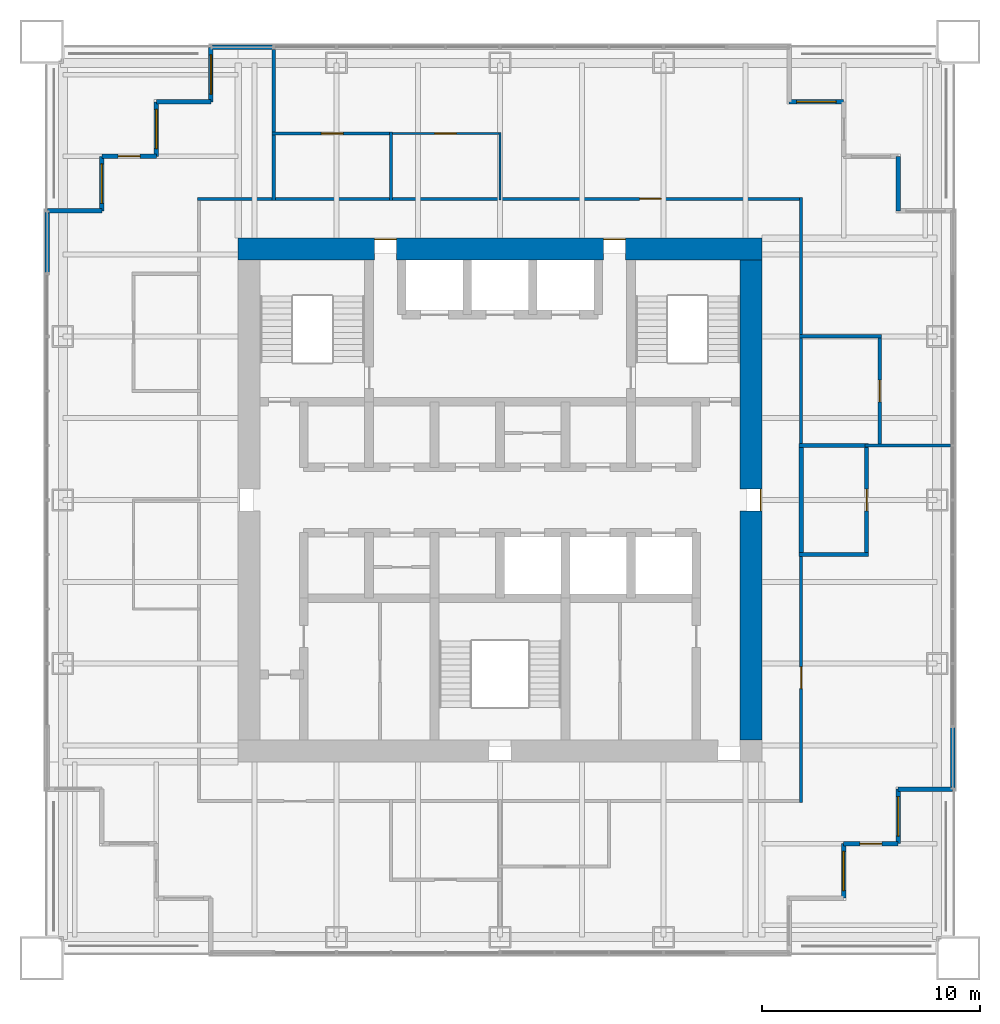
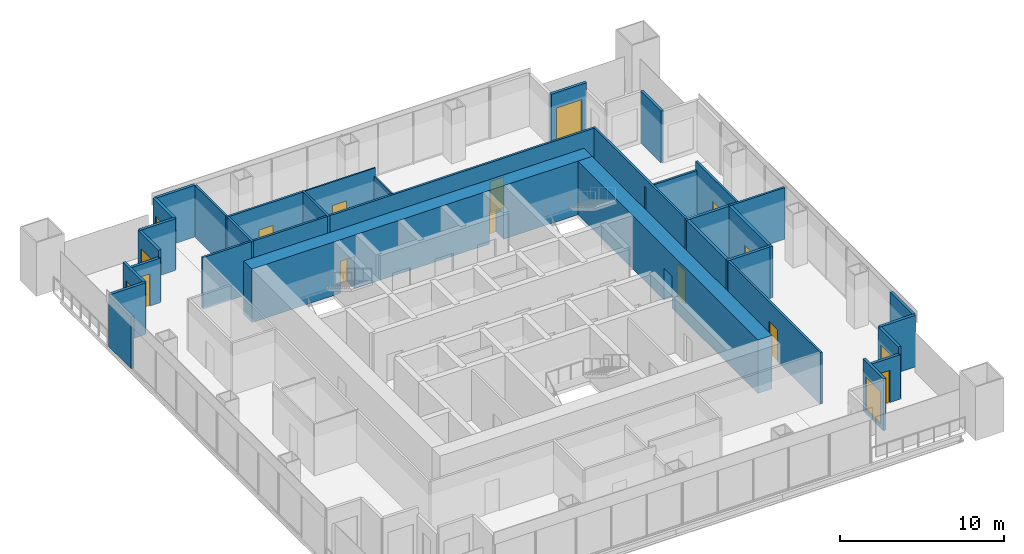
# One storey, part 11 of 14: 32 walls, 11 doors, 6 windows, 17 openings.
"""IFC4 building model written with IfcOpenShell, lengths in metres."""

from ifc_helpers import new_model, si_unit, direction, frame, frame_2d, origin, place, context, subcontext, project, spatial, rectangle, extrude, material, layer, layer_set, type_object, element, fill, save


model = new_model("IFC4")

# Units and contexts
model_context = context("Model", 3, precision=1e-05, world=origin(), true_north=direction((0.0, 1.0)))
body_context = subcontext(model_context, "Body", "Model", "MODEL_VIEW")
ifc_project = project(units=[si_unit("LENGTHUNIT", "METRE"), si_unit("AREAUNIT", "SQUARE_METRE"), si_unit("VOLUMEUNIT", "CUBIC_METRE"), si_unit("PLANEANGLEUNIT", "RADIAN"), si_unit("MASSUNIT", "GRAM", prefix="KILO")], contexts=[model_context])

# Site, building, storey
site_placement = place(None, origin())
site = spatial("IfcSite", under=ifc_project, at=site_placement, CompositionType="ELEMENT")
building_placement = place(site_placement, origin())
building = spatial("IfcBuilding", under=site, at=building_placement, Name="Tarangal Relay Tower", CompositionType="ELEMENT")
storey_placement = place(building_placement, frame((0.0, 0.0, 263.89990234375)))
storey = spatial("IfcBuildingStorey", under=building, at=storey_placement, Name="L57", CompositionType="ELEMENT", Elevation=263.89990234375)

# Walls
ifc_material_1 = material(Name="Two layers gypsum board each side on twin steel studs, mineral wool", Category="steel")
ifc_layer_1 = layer(ifc_material_1, 0.199951171875)
ifc_layer_set_1 = layer_set([ifc_layer_1], Name="Acoustic partition 200")
wall_type_1 = type_object("IfcWallType", Name="Acoustic partition 200", PredefinedType="PARTITIONING", material=ifc_layer_set_1)
for number, where, z_axis, x_axis, name in (
    (1, (13.699951171875, -2.5, 0.0), (0.0, 0.0, 1.0), (1.0, 0.0, 0.0), "Partition PT2 L57"),
    (2, (13.699951171875, 2.5, 0.0), (0.0, 0.0, 1.0), (1.0, 0.0, 0.0), "Partition PT2 L57"),
):
    element("IfcWall", number, at=place(storey_placement, frame(where, z_axis=z_axis, x_axis=x_axis)), inside=storey, type_object=wall_type_1, Name=name, PredefinedType="PARTITIONING", context=body_context, shape_type="SweptSolid", body=[
        extrude(rectangle(XDim=3.199951171875, YDim=0.199951171875, at=frame_2d((1.60009765625, 0.0))), origin(), (0.0, 0.0, 1.0), 3.85009765625),
    ])
wall_1_placement = place(storey_placement, frame((13.800048828125, -2.60009765625, 0.0), z_axis=(0.0, 0.0, 1.0), x_axis=(0.0, 1.0, 0.0)))
element("IfcWall", 3, at=wall_1_placement, inside=storey, type_object=wall_type_1, Name="Partition PT2 L57", PredefinedType="PARTITIONING", context=body_context, shape_type="SweptSolid", body=[
    extrude(rectangle(XDim=5.2001953125, YDim=0.199951171875, at=frame_2d((2.60009765625, 0.0))), origin(), (0.0, 0.0, 1.0), 3.85009765625),
])

# Wall, opening, door
wall_2_placement = place(storey_placement, frame((16.800048828125, -2.60009765625, 0.0), z_axis=(0.0, 0.0, 1.0), x_axis=(0.0, 1.0, 0.0)))
wall_2 = element("IfcWall", 4, at=wall_2_placement, inside=storey, type_object=wall_type_1, Name="Partition PT2 L57", PredefinedType="PARTITIONING", context=body_context, shape_type="SweptSolid", body=[
    extrude(rectangle(XDim=5.2001953125, YDim=0.199951171875, at=frame_2d((2.60009765625, 0.0))), origin(), (0.0, 0.0, 1.0), 3.85009765625),
])
opening_1_placement = place(wall_2_placement, frame((2.10009765625, 0.0, 0.0)))
opening_1 = element("IfcOpeningElement", 5, at=opening_1_placement, cuts=wall_2, Name="Opening D2", PredefinedType="OPENING", context=body_context, shape_type="SweptSolid", body=[
    extrude(rectangle(XDim=1.0, YDim=2.10009765625, at=frame_2d((0.5, 1.050048828125))), frame((0.0, 0.10986328125, 0.0), z_axis=(0.0, -1.0, 0.0), x_axis=(1.0, 0.0, 0.0)), (0.0, 0.0, 1.0), 0.219970703125),
])
ifc_material_2 = material(Name="Hardwood door", Category="wood")
door_type_1 = type_object("IfcDoorType", Name="Door 1000 x 2100", OperationType="SINGLE_SWING_LEFT", PredefinedType="DOOR", material=ifc_material_2)
door_1_placement = place(opening_1_placement, origin())
door_1 = element("IfcDoor", 6, at=door_1_placement, inside=storey, type_object=door_type_1, Name="Door D2 to meeting room L57-05", OperationType="SINGLE_SWING_LEFT", OverallHeight=2.10009765625, OverallWidth=1.0, PredefinedType="DOOR", context=body_context, shape_type="SweptSolid", body=[
    extrude(rectangle(XDim=1.0, YDim=2.10009765625, at=frame_2d((0.5, 1.050048828125))), frame((0.0, 0.02490234375, 0.0), z_axis=(0.0, -1.0, 0.0), x_axis=(1.0, 0.0, 0.0)), (0.0, 0.0, 1.0), 0.050048828125),
])
fill(opening_1, door_1)

# Wall, openings, doors
ifc_material_3 = material(Name="Concrete fc' 60 MPa", Category="concrete")
ifc_layer_2 = layer(ifc_material_3, 1.0)
ifc_layer_set_2 = layer_set([ifc_layer_2], Name="Core wall 1000")
wall_type_2 = type_object("IfcWallType", Name="Core wall 1000", PredefinedType="SHEAR", material=ifc_layer_set_2)
wall_3_placement = place(storey_placement, frame((-12.0, 11.5, 0.0), z_axis=(0.0, 0.0, 1.0), x_axis=(1.0, 0.0, 0.0)))
wall_3 = element("IfcWall", 7, at=wall_3_placement, inside=storey, type_object=wall_type_2, Name="Core wall N L57", PredefinedType="SHEAR", context=body_context, shape_type="SweptSolid", body=[
    extrude(rectangle(XDim=24.0, YDim=1.0, at=frame_2d((12.0, 0.0))), origin(), (0.0, 0.0, 1.0), 4.0),
])
opening_2_placement = place(wall_3_placement, frame((6.25, 0.0, 0.0)))
opening_2 = element("IfcOpeningElement", 8, at=opening_2_placement, cuts=wall_3, Name="Opening FD3", PredefinedType="OPENING", context=body_context, shape_type="SweptSolid", body=[
    extrude(rectangle(XDim=1.0, YDim=2.39990234375, at=frame_2d((0.5, 1.199951171875))), frame((0.0, 0.510009765625, 0.0), z_axis=(0.0, -1.0, 0.0), x_axis=(1.0, 0.0, 0.0)), (0.0, 0.0, 1.0), 1.02001953125),
])
opening_3_placement = place(wall_3_placement, frame((16.75, 0.0, 0.0)))
opening_3 = element("IfcOpeningElement", 9, at=opening_3_placement, cuts=wall_3, Name="Opening FD3", PredefinedType="OPENING", context=body_context, shape_type="SweptSolid", body=[
    extrude(rectangle(XDim=1.0, YDim=2.39990234375, at=frame_2d((0.5, 1.199951171875))), frame((0.0, 0.510009765625, 0.0), z_axis=(0.0, -1.0, 0.0), x_axis=(1.0, 0.0, 0.0)), (0.0, 0.0, 1.0), 1.02001953125),
])
ifc_material_4 = material(Name="Steel door with hardwood frame", Category="steel")
door_type_2 = type_object("IfcDoorType", Name="Fire door 1000 x 2400 core entry", OperationType="SINGLE_SWING_RIGHT", PredefinedType="DOOR", material=ifc_material_4)
door_2_placement = place(opening_2_placement, origin())
door_2 = element("IfcDoor", 10, at=door_2_placement, inside=storey, type_object=door_type_2, Name="Core entry door north west L57", OperationType="SINGLE_SWING_RIGHT", OverallHeight=2.39990234375, OverallWidth=1.0, PredefinedType="DOOR", context=body_context, shape_type="SweptSolid", body=[
    extrude(rectangle(XDim=1.0, YDim=2.39990234375, at=frame_2d((0.5, 1.199951171875))), frame((0.0, 0.48486328125, 0.0), z_axis=(0.0, -1.0, 0.0), x_axis=(1.0, 0.0, 0.0)), (0.0, 0.0, 1.0), 0.050048828125),
])
fill(opening_2, door_2)
door_3_placement = place(opening_3_placement, origin())
door_3 = element("IfcDoor", 11, at=door_3_placement, inside=storey, type_object=door_type_2, Name="Core entry door north east L57", OperationType="SINGLE_SWING_RIGHT", OverallHeight=2.39990234375, OverallWidth=1.0, PredefinedType="DOOR", context=body_context, shape_type="SweptSolid", body=[
    extrude(rectangle(XDim=1.0, YDim=2.39990234375, at=frame_2d((0.5, 1.199951171875))), frame((0.0, 0.48486328125, 0.0), z_axis=(0.0, -1.0, 0.0), x_axis=(1.0, 0.0, 0.0)), (0.0, 0.0, 1.0), 0.050048828125),
])
fill(opening_3, door_3)

# Wall, opening, door
wall_4_placement = place(storey_placement, frame((11.5, 11.0, 0.0), z_axis=(0.0, 0.0, 1.0), x_axis=(0.0, -1.0, 0.0)))
wall_4 = element("IfcWall", 12, at=wall_4_placement, inside=storey, type_object=wall_type_2, Name="Core wall E L57", PredefinedType="SHEAR", context=body_context, shape_type="SweptSolid", body=[
    extrude(rectangle(XDim=22.0, YDim=1.0, at=frame_2d((11.0, 0.0))), origin(), (0.0, 0.0, 1.0), 4.0),
])
opening_4_placement = place(wall_4_placement, frame((10.5, 0.0, 0.0)))
opening_4 = element("IfcOpeningElement", 13, at=opening_4_placement, cuts=wall_4, Name="Opening FD3", PredefinedType="OPENING", context=body_context, shape_type="SweptSolid", body=[
    extrude(rectangle(XDim=1.0, YDim=2.39990234375, at=frame_2d((0.5, 1.199951171875))), frame((0.0, 0.510009765625, 0.0), z_axis=(0.0, -1.0, 0.0), x_axis=(1.0, 0.0, 0.0)), (0.0, 0.0, 1.0), 1.02001953125),
])
door_4_placement = place(opening_4_placement, origin())
door_4 = element("IfcDoor", 14, at=door_4_placement, inside=storey, type_object=door_type_2, Name="Core entry door east L57", OperationType="SINGLE_SWING_RIGHT", OverallHeight=2.39990234375, OverallWidth=1.0, PredefinedType="DOOR", context=body_context, shape_type="SweptSolid", body=[
    extrude(rectangle(XDim=1.0, YDim=2.39990234375, at=frame_2d((0.5, 1.199951171875))), frame((0.0, 0.48486328125, 0.0), z_axis=(0.0, -1.0, 0.0), x_axis=(1.0, 0.0, 0.0)), (0.0, 0.0, 1.0), 0.050048828125),
])
fill(opening_4, door_4)

# Wall, opening, window
ifc_material_5 = material(Name="Black metal clad insulated wall", Category="steel")
ifc_layer_3 = layer(ifc_material_5, 0.199951171875)
ifc_layer_set_3 = layer_set([ifc_layer_3], Name="Corner wall metal clad 200")
wall_type_3 = type_object("IfcWallType", Name="Corner wall metal clad 200", PredefinedType="SOLIDWALL", material=ifc_layer_set_3)
wall_5_placement = place(storey_placement, frame((13.25, 18.25, 0.0), z_axis=(0.0, 0.0, 1.0), x_axis=(1.0, 0.0, 0.0)))
wall_5 = element("IfcWall", 15, at=wall_5_placement, inside=storey, type_object=wall_type_3, Name="Facade wall N facade L57", PredefinedType="SOLIDWALL", context=body_context, shape_type="SweptSolid", body=[
    extrude(rectangle(XDim=2.5, YDim=0.199951171875, at=frame_2d((1.25, 0.0))), origin(), (0.0, 0.0, 1.0), 3.85009765625),
])
opening_5_placement = place(wall_5_placement, frame((0.35009765625, 0.0, 0.300048828125)))
opening_5 = element("IfcOpeningElement", 16, at=opening_5_placement, cuts=wall_5, Name="Opening WN2", PredefinedType="OPENING", context=body_context, shape_type="SweptSolid", body=[
    extrude(rectangle(XDim=1.800048828125, YDim=2.39990234375, at=frame_2d((0.89990234375, 1.199951171875))), frame((0.0, 0.10986328125, 0.0), z_axis=(0.0, -1.0, 0.0), x_axis=(1.0, 0.0, 0.0)), (0.0, 0.0, 1.0), 0.219970703125),
])
ifc_material_6 = material(Name="Dark tinted double glazing in black aluminium frame", Category="aluminium")
window_type = type_object("IfcWindowType", Name="Corner window 1800 x 2400", PartitioningType="SINGLE_PANEL", PredefinedType="WINDOW", material=ifc_material_6)
window_1_placement = place(opening_5_placement, origin())
window_1 = element("IfcWindow", 17, at=window_1_placement, inside=storey, type_object=window_type, Name="Corner window WN2 N facade L57", OverallHeight=2.39990234375, OverallWidth=1.800048828125, PartitioningType="SINGLE_PANEL", PredefinedType="WINDOW", context=body_context, shape_type="SweptSolid", body=[
    extrude(rectangle(XDim=1.800048828125, YDim=2.39990234375, at=frame_2d((0.89990234375, 1.199951171875))), frame((0.0, 0.030029296875, 0.0), z_axis=(0.0, -1.0, 0.0), x_axis=(1.0, 0.0, 0.0)), (0.0, 0.0, 1.0), 0.06005859375),
])
fill(opening_5, window_1)

# Walls
for number, where, z_axis, x_axis, name in (
    (18, (18.25, 15.75, 0.0), (0.0, 0.0, 1.0), (0.0, -1.0, 0.0), "Facade wall N facade L57"),
    (19, (20.75, -13.25, 0.0), (0.0, 0.0, 1.0), (-1.0, 0.0, 0.0), "Facade wall E facade L57"),
):
    element("IfcWall", number, at=place(storey_placement, frame(where, z_axis=z_axis, x_axis=x_axis)), inside=storey, type_object=wall_type_3, Name=name, PredefinedType="SOLIDWALL", context=body_context, shape_type="SweptSolid", body=[
        extrude(rectangle(XDim=2.5, YDim=0.199951171875, at=frame_2d((1.25, 0.0))), origin(), (0.0, 0.0, 1.0), 3.85009765625),
    ])

# Wall, opening, window
wall_6_placement = place(storey_placement, frame((18.25, -13.25, 0.0), z_axis=(0.0, 0.0, 1.0), x_axis=(0.0, -1.0, 0.0)))
wall_6 = element("IfcWall", 20, at=wall_6_placement, inside=storey, type_object=wall_type_3, Name="Facade wall E facade L57", PredefinedType="SOLIDWALL", context=body_context, shape_type="SweptSolid", body=[
    extrude(rectangle(XDim=2.5, YDim=0.199951171875, at=frame_2d((1.25, 0.0))), origin(), (0.0, 0.0, 1.0), 3.85009765625),
])
opening_6_placement = place(wall_6_placement, frame((0.35009765625, 0.0, 0.300048828125)))
opening_6 = element("IfcOpeningElement", 21, at=opening_6_placement, cuts=wall_6, Name="Opening WN2", PredefinedType="OPENING", context=body_context, shape_type="SweptSolid", body=[
    extrude(rectangle(XDim=1.800048828125, YDim=2.39990234375, at=frame_2d((0.89990234375, 1.199951171875))), frame((0.0, 0.10986328125, 0.0), z_axis=(0.0, -1.0, 0.0), x_axis=(1.0, 0.0, 0.0)), (0.0, 0.0, 1.0), 0.219970703125),
])
window_2_placement = place(opening_6_placement, origin())
window_2 = element("IfcWindow", 22, at=window_2_placement, inside=storey, type_object=window_type, Name="Corner window WN2 E facade L57", OverallHeight=2.39990234375, OverallWidth=1.800048828125, PartitioningType="SINGLE_PANEL", PredefinedType="WINDOW", context=body_context, shape_type="SweptSolid", body=[
    extrude(rectangle(XDim=1.800048828125, YDim=2.39990234375, at=frame_2d((0.89990234375, 1.199951171875))), frame((0.0, 0.030029296875, 0.0), z_axis=(0.0, -1.0, 0.0), x_axis=(1.0, 0.0, 0.0)), (0.0, 0.0, 1.0), 0.06005859375),
])
fill(opening_6, window_2)

# Wall, opening, door
wall_7_placement = place(storey_placement, frame((18.25, -15.75, 0.0), z_axis=(0.0, 0.0, 1.0), x_axis=(-1.0, 0.0, 0.0)))
wall_7 = element("IfcWall", 23, at=wall_7_placement, inside=storey, type_object=wall_type_3, Name="Facade wall E facade L57", PredefinedType="SOLIDWALL", context=body_context, shape_type="SweptSolid", body=[
    extrude(rectangle(XDim=2.5, YDim=0.199951171875, at=frame_2d((1.25, 0.0))), origin(), (0.0, 0.0, 1.0), 3.316650390625),
])
opening_7_placement = place(wall_7_placement, frame((0.75, 0.0, 0.0)))
opening_7 = element("IfcOpeningElement", 24, at=opening_7_placement, cuts=wall_7, Name="Opening TD1", PredefinedType="OPENING", context=body_context, shape_type="SweptSolid", body=[
    extrude(rectangle(XDim=1.0, YDim=2.39990234375, at=frame_2d((0.5, 1.199951171875))), frame((0.0, 0.10986328125, 0.0), z_axis=(0.0, -1.0, 0.0), x_axis=(1.0, 0.0, 0.0)), (0.0, 0.0, 1.0), 0.219970703125),
])
ifc_material_7 = material(Name="Aluminium glazed door", Category="aluminium")
door_type_3 = type_object("IfcDoorType", Name="Terrace door 1000 x 2400", OperationType="SINGLE_SWING_RIGHT", PredefinedType="DOOR", material=ifc_material_7)
door_5_placement = place(opening_7_placement, origin())
door_5 = element("IfcDoor", 25, at=door_5_placement, inside=storey, type_object=door_type_3, Name="Terrace door TD1 SE L57", OperationType="SINGLE_SWING_RIGHT", OverallHeight=2.39990234375, OverallWidth=1.0, PredefinedType="DOOR", context=body_context, shape_type="SweptSolid", body=[
    extrude(rectangle(XDim=1.0, YDim=2.39990234375, at=frame_2d((0.5, 1.199951171875))), frame((0.0, 0.02490234375, 0.0), z_axis=(0.0, -1.0, 0.0), x_axis=(1.0, 0.0, 0.0)), (0.0, 0.0, 1.0), 0.050048828125),
])
fill(opening_7, door_5)

# Wall, opening, window
wall_8_placement = place(storey_placement, frame((15.75, -15.75, 0.0), z_axis=(0.0, 0.0, 1.0), x_axis=(0.0, -1.0, 0.0)))
wall_8 = element("IfcWall", 26, at=wall_8_placement, inside=storey, type_object=wall_type_3, Name="Facade wall E facade L57", PredefinedType="SOLIDWALL", context=body_context, shape_type="SweptSolid", body=[
    extrude(rectangle(XDim=2.5, YDim=0.199951171875, at=frame_2d((1.25, 0.0))), origin(), (0.0, 0.0, 1.0), 3.85009765625),
])
opening_8_placement = place(wall_8_placement, frame((0.35009765625, 0.0, 0.300048828125)))
opening_8 = element("IfcOpeningElement", 27, at=opening_8_placement, cuts=wall_8, Name="Opening WN2", PredefinedType="OPENING", context=body_context, shape_type="SweptSolid", body=[
    extrude(rectangle(XDim=1.800048828125, YDim=2.39990234375, at=frame_2d((0.89990234375, 1.199951171875))), frame((0.0, 0.10986328125, 0.0), z_axis=(0.0, -1.0, 0.0), x_axis=(1.0, 0.0, 0.0)), (0.0, 0.0, 1.0), 0.219970703125),
])
window_3_placement = place(opening_8_placement, origin())
window_3 = element("IfcWindow", 28, at=window_3_placement, inside=storey, type_object=window_type, Name="Corner window WN2 E facade L57", OverallHeight=2.39990234375, OverallWidth=1.800048828125, PartitioningType="SINGLE_PANEL", PredefinedType="WINDOW", context=body_context, shape_type="SweptSolid", body=[
    extrude(rectangle(XDim=1.800048828125, YDim=2.39990234375, at=frame_2d((0.89990234375, 1.199951171875))), frame((0.0, 0.030029296875, 0.0), z_axis=(0.0, -1.0, 0.0), x_axis=(1.0, 0.0, 0.0)), (0.0, 0.0, 1.0), 0.06005859375),
])
fill(opening_8, window_3)

# Wall
wall_9_placement = place(storey_placement, frame((-20.75, 13.25, 0.0), z_axis=(0.0, 0.0, 1.0), x_axis=(1.0, 0.0, 0.0)))
element("IfcWall", 29, at=wall_9_placement, inside=storey, type_object=wall_type_3, Name="Facade wall W facade L57", PredefinedType="SOLIDWALL", context=body_context, shape_type="SweptSolid", body=[
    extrude(rectangle(XDim=2.5, YDim=0.199951171875, at=frame_2d((1.25, 0.0))), origin(), (0.0, 0.0, 1.0), 3.85009765625),
])

# Wall, opening, window
wall_10_placement = place(storey_placement, frame((-18.25, 13.25, 0.0), z_axis=(0.0, 0.0, 1.0), x_axis=(0.0, 1.0, 0.0)))
wall_10 = element("IfcWall", 30, at=wall_10_placement, inside=storey, type_object=wall_type_3, Name="Facade wall W facade L57", PredefinedType="SOLIDWALL", context=body_context, shape_type="SweptSolid", body=[
    extrude(rectangle(XDim=2.5, YDim=0.199951171875, at=frame_2d((1.25, 0.0))), origin(), (0.0, 0.0, 1.0), 3.85009765625),
])
opening_9_placement = place(wall_10_placement, frame((0.35009765625, 0.0, 0.300048828125)))
opening_9 = element("IfcOpeningElement", 31, at=opening_9_placement, cuts=wall_10, Name="Opening WN2", PredefinedType="OPENING", context=body_context, shape_type="SweptSolid", body=[
    extrude(rectangle(XDim=1.800048828125, YDim=2.39990234375, at=frame_2d((0.89990234375, 1.199951171875))), frame((0.0, 0.10986328125, 0.0), z_axis=(0.0, -1.0, 0.0), x_axis=(1.0, 0.0, 0.0)), (0.0, 0.0, 1.0), 0.219970703125),
])
window_4_placement = place(opening_9_placement, origin())
window_4 = element("IfcWindow", 32, at=window_4_placement, inside=storey, type_object=window_type, Name="Corner window WN2 W facade L57", OverallHeight=2.39990234375, OverallWidth=1.800048828125, PartitioningType="SINGLE_PANEL", PredefinedType="WINDOW", context=body_context, shape_type="SweptSolid", body=[
    extrude(rectangle(XDim=1.800048828125, YDim=2.39990234375, at=frame_2d((0.89990234375, 1.199951171875))), frame((0.0, 0.030029296875, 0.0), z_axis=(0.0, -1.0, 0.0), x_axis=(1.0, 0.0, 0.0)), (0.0, 0.0, 1.0), 0.06005859375),
])
fill(opening_9, window_4)

# Wall, opening, door
wall_11_placement = place(storey_placement, frame((-18.25, 15.75, 0.0), z_axis=(0.0, 0.0, 1.0), x_axis=(1.0, 0.0, 0.0)))
wall_11 = element("IfcWall", 33, at=wall_11_placement, inside=storey, type_object=wall_type_3, Name="Facade wall W facade L57", PredefinedType="SOLIDWALL", context=body_context, shape_type="SweptSolid", body=[
    extrude(rectangle(XDim=2.5, YDim=0.199951171875, at=frame_2d((1.25, 0.0))), origin(), (0.0, 0.0, 1.0), 3.316650390625),
])
opening_10_placement = place(wall_11_placement, frame((0.75, 0.0, 0.0)))
opening_10 = element("IfcOpeningElement", 34, at=opening_10_placement, cuts=wall_11, Name="Opening TD1", PredefinedType="OPENING", context=body_context, shape_type="SweptSolid", body=[
    extrude(rectangle(XDim=1.0, YDim=2.39990234375, at=frame_2d((0.5, 1.199951171875))), frame((0.0, 0.10986328125, 0.0), z_axis=(0.0, -1.0, 0.0), x_axis=(1.0, 0.0, 0.0)), (0.0, 0.0, 1.0), 0.219970703125),
])
door_6_placement = place(opening_10_placement, origin())
door_6 = element("IfcDoor", 35, at=door_6_placement, inside=storey, type_object=door_type_3, Name="Terrace door TD1 NW L57", OperationType="SINGLE_SWING_RIGHT", OverallHeight=2.39990234375, OverallWidth=1.0, PredefinedType="DOOR", context=body_context, shape_type="SweptSolid", body=[
    extrude(rectangle(XDim=1.0, YDim=2.39990234375, at=frame_2d((0.5, 1.199951171875))), frame((0.0, 0.02490234375, 0.0), z_axis=(0.0, -1.0, 0.0), x_axis=(1.0, 0.0, 0.0)), (0.0, 0.0, 1.0), 0.050048828125),
])
fill(opening_10, door_6)

# Wall, opening, window
wall_12_placement = place(storey_placement, frame((-15.75, 15.75, 0.0), z_axis=(0.0, 0.0, 1.0), x_axis=(0.0, 1.0, 0.0)))
wall_12 = element("IfcWall", 36, at=wall_12_placement, inside=storey, type_object=wall_type_3, Name="Facade wall W facade L57", PredefinedType="SOLIDWALL", context=body_context, shape_type="SweptSolid", body=[
    extrude(rectangle(XDim=2.5, YDim=0.199951171875, at=frame_2d((1.25, 0.0))), origin(), (0.0, 0.0, 1.0), 3.85009765625),
])
opening_11_placement = place(wall_12_placement, frame((0.35009765625, 0.0, 0.300048828125)))
opening_11 = element("IfcOpeningElement", 37, at=opening_11_placement, cuts=wall_12, Name="Opening WN2", PredefinedType="OPENING", context=body_context, shape_type="SweptSolid", body=[
    extrude(rectangle(XDim=1.800048828125, YDim=2.39990234375, at=frame_2d((0.89990234375, 1.199951171875))), frame((0.0, 0.10986328125, 0.0), z_axis=(0.0, -1.0, 0.0), x_axis=(1.0, 0.0, 0.0)), (0.0, 0.0, 1.0), 0.219970703125),
])
window_5_placement = place(opening_11_placement, origin())
window_5 = element("IfcWindow", 38, at=window_5_placement, inside=storey, type_object=window_type, Name="Corner window WN2 W facade L57", OverallHeight=2.39990234375, OverallWidth=1.800048828125, PartitioningType="SINGLE_PANEL", PredefinedType="WINDOW", context=body_context, shape_type="SweptSolid", body=[
    extrude(rectangle(XDim=1.800048828125, YDim=2.39990234375, at=frame_2d((0.89990234375, 1.199951171875))), frame((0.0, 0.030029296875, 0.0), z_axis=(0.0, -1.0, 0.0), x_axis=(1.0, 0.0, 0.0)), (0.0, 0.0, 1.0), 0.06005859375),
])
fill(opening_11, window_5)

# Wall
wall_13_placement = place(storey_placement, frame((-15.75, 18.25, 0.0), z_axis=(0.0, 0.0, 1.0), x_axis=(1.0, 0.0, 0.0)))
element("IfcWall", 39, at=wall_13_placement, inside=storey, type_object=wall_type_3, Name="Facade wall W facade L57", PredefinedType="SOLIDWALL", context=body_context, shape_type="SweptSolid", body=[
    extrude(rectangle(XDim=2.5, YDim=0.199951171875, at=frame_2d((1.25, 0.0))), origin(), (0.0, 0.0, 1.0), 3.85009765625),
])

# Wall, opening, window
wall_14_placement = place(storey_placement, frame((-13.25, 18.25, 0.0), z_axis=(0.0, 0.0, 1.0), x_axis=(0.0, 1.0, 0.0)))
wall_14 = element("IfcWall", 40, at=wall_14_placement, inside=storey, type_object=wall_type_3, Name="Facade wall W facade L57", PredefinedType="SOLIDWALL", context=body_context, shape_type="SweptSolid", body=[
    extrude(rectangle(XDim=2.5, YDim=0.199951171875, at=frame_2d((1.25, 0.0))), origin(), (0.0, 0.0, 1.0), 3.85009765625),
])
opening_12_placement = place(wall_14_placement, frame((0.35009765625, 0.0, 0.300048828125)))
opening_12 = element("IfcOpeningElement", 41, at=opening_12_placement, cuts=wall_14, Name="Opening WN2", PredefinedType="OPENING", context=body_context, shape_type="SweptSolid", body=[
    extrude(rectangle(XDim=1.800048828125, YDim=2.39990234375, at=frame_2d((0.89990234375, 1.199951171875))), frame((0.0, 0.10986328125, 0.0), z_axis=(0.0, -1.0, 0.0), x_axis=(1.0, 0.0, 0.0)), (0.0, 0.0, 1.0), 0.219970703125),
])
window_6_placement = place(opening_12_placement, origin())
window_6 = element("IfcWindow", 42, at=window_6_placement, inside=storey, type_object=window_type, Name="Corner window WN2 W facade L57", OverallHeight=2.39990234375, OverallWidth=1.800048828125, PartitioningType="SINGLE_PANEL", PredefinedType="WINDOW", context=body_context, shape_type="SweptSolid", body=[
    extrude(rectangle(XDim=1.800048828125, YDim=2.39990234375, at=frame_2d((0.89990234375, 1.199951171875))), frame((0.0, 0.030029296875, 0.0), z_axis=(0.0, -1.0, 0.0), x_axis=(1.0, 0.0, 0.0)), (0.0, 0.0, 1.0), 0.06005859375),
])
fill(opening_12, window_6)

# Walls
ifc_layer_4 = layer(ifc_material_5, 0.199951171875)
ifc_layer_set_4 = layer_set([ifc_layer_4], Name="Facade infill wall metal clad 200")
wall_type_4 = type_object("IfcWallType", Name="Facade infill wall metal clad 200", PredefinedType="SOLIDWALL", material=ifc_layer_set_4)
for number, where, z_axis, x_axis, name in (
    (43, (-13.18994140625, 20.75, 0.0), (0.0, 0.0, 1.0), (1.0, 0.0, 0.0), "Facade infill wall N facade L57 1.1"),
    (44, (20.75, -10.43505859375, 0.0), (0.0, 0.0, 1.0), (0.0, -1.0, 0.0), "Facade infill wall E facade L57 1.1"),
    (45, (-20.75, 10.43505859375, 0.0), (0.0, 0.0, 1.0), (0.0, 1.0, 0.0), "Facade infill wall W facade L57 1.1"),
):
    element("IfcWall", number, at=place(storey_placement, frame(where, z_axis=z_axis, x_axis=x_axis)), inside=storey, type_object=wall_type_4, Name=name, PredefinedType="SOLIDWALL", context=body_context, shape_type="SweptSolid", body=[
        extrude(rectangle(XDim=2.7548828125, YDim=0.199951171875, at=frame_2d((1.37744140625, 0.0))), origin(), (0.0, 0.0, 1.0), 3.85009765625),
    ])

# Wall, opening, door
ifc_material_8 = material(Name="Double glazed aluminium framed partition", Category="aluminium")
ifc_layer_5 = layer(ifc_material_8, 0.10009765625)
ifc_layer_set_5 = layer_set([ifc_layer_5], Name="Glazed partition 100")
wall_type_5 = type_object("IfcWallType", Name="Glazed partition 100", PredefinedType="PARTITIONING", material=ifc_layer_set_5)
wall_15_placement = place(storey_placement, frame((-5.050048828125, 16.800048828125, 0.0), z_axis=(0.0, 0.0, 1.0), x_axis=(1.0, 0.0, 0.0)))
wall_15 = element("IfcWall", 46, at=wall_15_placement, inside=storey, type_object=wall_type_5, Name="Partition PT3 L57", PredefinedType="PARTITIONING", context=body_context, shape_type="SweptSolid", body=[
    extrude(rectangle(XDim=5.10009765625, YDim=0.10009765625, at=frame_2d((2.550048828125, 0.0))), origin(), (0.0, 0.0, 1.0), 3.85009765625),
])
opening_13_placement = place(wall_15_placement, frame((2.050048828125, 0.0, 0.0)))
opening_13 = element("IfcOpeningElement", 47, at=opening_13_placement, cuts=wall_15, Name="Opening D3", PredefinedType="OPENING", context=body_context, shape_type="SweptSolid", body=[
    extrude(rectangle(XDim=1.0, YDim=2.10009765625, at=frame_2d((0.5, 1.050048828125))), frame((0.0, 0.06005859375, 0.0), z_axis=(0.0, -1.0, 0.0), x_axis=(1.0, 0.0, 0.0)), (0.0, 0.0, 1.0), 0.1201171875),
])
ifc_material_9 = material(Name="Frameless glass door", Category="glass")
door_type_4 = type_object("IfcDoorType", Name="Glazed door 1000 x 2100", OperationType="SINGLE_SWING_LEFT", PredefinedType="DOOR", material=ifc_material_9)
door_7_placement = place(opening_13_placement, origin())
door_7 = element("IfcDoor", 48, at=door_7_placement, inside=storey, type_object=door_type_4, Name="Door D3 to meeting room L57-03", OperationType="SINGLE_SWING_LEFT", OverallHeight=2.10009765625, OverallWidth=1.0, PredefinedType="DOOR", context=body_context, shape_type="SweptSolid", body=[
    extrude(rectangle(XDim=1.0, YDim=2.10009765625, at=frame_2d((0.5, 1.050048828125))), frame((0.0, 0.02490234375, 0.0), z_axis=(0.0, -1.0, 0.0), x_axis=(1.0, 0.0, 0.0)), (0.0, 0.0, 1.0), 0.050048828125),
])
fill(opening_13, door_7)

# Walls
wall_16_placement = place(storey_placement, frame((0.0, 13.75, 0.0), z_axis=(0.0, 0.0, 1.0), x_axis=(0.0, 1.0, 0.0)))
element("IfcWall", 49, at=wall_16_placement, inside=storey, type_object=wall_type_5, Name="Partition PT3 L57", PredefinedType="PARTITIONING", context=body_context, shape_type="SweptSolid", body=[
    extrude(rectangle(XDim=3.10009765625, YDim=0.10009765625, at=frame_2d((1.550048828125, 0.0))), origin(), (0.0, 0.0, 1.0), 3.2431640625),
])
ifc_material_10 = material(Name="Gypsum board on steel studs", Category="steel")
ifc_layer_6 = layer(ifc_material_10, 0.14990234375)
ifc_layer_set_6 = layer_set([ifc_layer_6], Name="Partition 150")
wall_type_6 = type_object("IfcWallType", Name="Partition 150", PredefinedType="PARTITIONING", material=ifc_layer_set_6)
wall_17_placement = place(storey_placement, frame((16.72509765625, 2.5, 0.0), z_axis=(0.0, 0.0, 1.0), x_axis=(1.0, 0.0, 0.0)))
element("IfcWall", 50, at=wall_17_placement, inside=storey, type_object=wall_type_6, Name="Partition PT1 L57", PredefinedType="PARTITIONING", context=body_context, shape_type="SweptSolid", body=[
    extrude(rectangle(XDim=3.9248046875, YDim=0.14990234375, at=frame_2d((1.96240234375, 0.0))), origin(), (0.0, 0.0, 1.0), 3.85009765625),
])
wall_18_placement = place(storey_placement, frame((13.72509765625, 7.5, 0.0), z_axis=(0.0, 0.0, 1.0), x_axis=(1.0, 0.0, 0.0)))
element("IfcWall", 51, at=wall_18_placement, inside=storey, type_object=wall_type_6, Name="Partition PT1 L57", PredefinedType="PARTITIONING", context=body_context, shape_type="SweptSolid", body=[
    extrude(rectangle(XDim=3.75, YDim=0.14990234375, at=frame_2d((1.875, 0.0))), origin(), (0.0, 0.0, 1.0), 3.2431640625),
])

# Wall, opening, door
wall_19_placement = place(storey_placement, frame((-13.875, 13.800048828125, 0.0), z_axis=(0.0, 0.0, 1.0), x_axis=(1.0, 0.0, 0.0)))
wall_19 = element("IfcWall", 52, at=wall_19_placement, inside=storey, type_object=wall_type_6, Name="Partition PT1 L57", PredefinedType="PARTITIONING", context=body_context, shape_type="SweptSolid", body=[
    extrude(rectangle(XDim=27.75, YDim=0.14990234375, at=frame_2d((13.875, 0.0))), origin(), (0.0, 0.0, 1.0), 3.85009765625),
])
opening_14_placement = place(wall_19_placement, frame((20.27490234375, 0.0, 0.0)))
opening_14 = element("IfcOpeningElement", 53, at=opening_14_placement, cuts=wall_19, Name="Opening SD1", PredefinedType="OPENING", context=body_context, shape_type="SweptSolid", body=[
    extrude(rectangle(XDim=1.0, YDim=2.39990234375, at=frame_2d((0.5, 1.199951171875))), frame((0.0, 0.0849609375, 0.0), z_axis=(0.0, -1.0, 0.0), x_axis=(1.0, 0.0, 0.0)), (0.0, 0.0, 1.0), 0.169921875),
])
door_type_5 = type_object("IfcDoorType", Name="Suite entrance door 1000 x 2400", OperationType="SINGLE_SWING_RIGHT", PredefinedType="DOOR", material=ifc_material_4)
door_8_placement = place(opening_14_placement, origin())
door_8 = element("IfcDoor", 54, at=door_8_placement, inside=storey, type_object=door_type_5, Name="Door SD1 to open plan office L57-10", OperationType="SINGLE_SWING_RIGHT", OverallHeight=2.39990234375, OverallWidth=1.0, PredefinedType="DOOR", context=body_context, shape_type="SweptSolid", body=[
    extrude(rectangle(XDim=1.0, YDim=2.39990234375, at=frame_2d((0.5, 1.199951171875))), frame((0.0, 0.02490234375, 0.0), z_axis=(0.0, -1.0, 0.0), x_axis=(1.0, 0.0, 0.0)), (0.0, 0.0, 1.0), 0.050048828125),
])
fill(opening_14, door_8)

wall_20_placement = place(storey_placement, frame((-10.449951171875, 16.800048828125, 0.0), z_axis=(0.0, 0.0, 1.0), x_axis=(1.0, 0.0, 0.0)))
wall_20 = element("IfcWall", 55, at=wall_20_placement, inside=storey, type_object=wall_type_6, Name="Partition PT1 L57", PredefinedType="PARTITIONING", context=body_context, shape_type="SweptSolid", body=[
    extrude(rectangle(XDim=5.52490234375, YDim=0.14990234375, at=frame_2d((2.762451171875, 0.0))), origin(), (0.0, 0.0, 1.0), 3.85009765625),
])
opening_15_placement = place(wall_20_placement, frame((2.262451171875, 0.0, 0.0)))
opening_15 = element("IfcOpeningElement", 56, at=opening_15_placement, cuts=wall_20, Name="Opening D2", PredefinedType="OPENING", context=body_context, shape_type="SweptSolid", body=[
    extrude(rectangle(XDim=1.0, YDim=2.10009765625, at=frame_2d((0.5, 1.050048828125))), frame((0.0, 0.0849609375, 0.0), z_axis=(0.0, -1.0, 0.0), x_axis=(1.0, 0.0, 0.0)), (0.0, 0.0, 1.0), 0.169921875),
])
door_9_placement = place(opening_15_placement, origin())
door_9 = element("IfcDoor", 57, at=door_9_placement, inside=storey, type_object=door_type_1, Name="Door D2 to cellular office L57-02", OperationType="SINGLE_SWING_LEFT", OverallHeight=2.10009765625, OverallWidth=1.0, PredefinedType="DOOR", context=body_context, shape_type="SweptSolid", body=[
    extrude(rectangle(XDim=1.0, YDim=2.10009765625, at=frame_2d((0.5, 1.050048828125))), frame((0.0, 0.02490234375, 0.0), z_axis=(0.0, -1.0, 0.0), x_axis=(1.0, 0.0, 0.0)), (0.0, 0.0, 1.0), 0.050048828125),
])
fill(opening_15, door_9)

# Walls
wall_21_placement = place(storey_placement, frame((-10.375, 13.72509765625, 0.0), z_axis=(0.0, 0.0, 1.0), x_axis=(0.0, 1.0, 0.0)))
element("IfcWall", 58, at=wall_21_placement, inside=storey, type_object=wall_type_6, Name="Partition PT1 L57", PredefinedType="PARTITIONING", context=body_context, shape_type="SweptSolid", body=[
    extrude(rectangle(XDim=6.9248046875, YDim=0.14990234375, at=frame_2d((3.46240234375, 0.0))), origin(), (0.0, 0.0, 1.0), 3.85009765625),
])
wall_22_placement = place(storey_placement, frame((-5.0, 13.72509765625, 0.0), z_axis=(0.0, 0.0, 1.0), x_axis=(0.0, 1.0, 0.0)))
element("IfcWall", 59, at=wall_22_placement, inside=storey, type_object=wall_type_6, Name="Partition PT1 L57", PredefinedType="PARTITIONING", context=body_context, shape_type="SweptSolid", body=[
    extrude(rectangle(XDim=3.14990234375, YDim=0.14990234375, at=frame_2d((1.574951171875, 0.0))), origin(), (0.0, 0.0, 1.0), 3.85009765625),
])

# Wall, opening, door
wall_23_placement = place(storey_placement, frame((13.800048828125, -13.875, 0.0), z_axis=(0.0, 0.0, 1.0), x_axis=(0.0, 1.0, 0.0)))
wall_23 = element("IfcWall", 60, at=wall_23_placement, inside=storey, type_object=wall_type_6, Name="Partition PT1 L57", PredefinedType="PARTITIONING", context=body_context, shape_type="SweptSolid", body=[
    extrude(rectangle(XDim=11.449951171875, YDim=0.14990234375, at=frame_2d((5.72509765625, 0.0))), origin(), (0.0, 0.0, 1.0), 3.85009765625),
])
opening_16_placement = place(wall_23_placement, frame((5.22509765625, 0.0, 0.0)))
opening_16 = element("IfcOpeningElement", 61, at=opening_16_placement, cuts=wall_23, Name="Opening SD1", PredefinedType="OPENING", context=body_context, shape_type="SweptSolid", body=[
    extrude(rectangle(XDim=1.0, YDim=2.39990234375, at=frame_2d((0.5, 1.199951171875))), frame((0.0, 0.0849609375, 0.0), z_axis=(0.0, -1.0, 0.0), x_axis=(1.0, 0.0, 0.0)), (0.0, 0.0, 1.0), 0.169921875),
])
door_10_placement = place(opening_16_placement, origin())
door_10 = element("IfcDoor", 62, at=door_10_placement, inside=storey, type_object=door_type_5, Name="Door SD1 to open plan office L57-11", OperationType="SINGLE_SWING_RIGHT", OverallHeight=2.39990234375, OverallWidth=1.0, PredefinedType="DOOR", context=body_context, shape_type="SweptSolid", body=[
    extrude(rectangle(XDim=1.0, YDim=2.39990234375, at=frame_2d((0.5, 1.199951171875))), frame((0.0, 0.02490234375, 0.0), z_axis=(0.0, -1.0, 0.0), x_axis=(1.0, 0.0, 0.0)), (0.0, 0.0, 1.0), 0.050048828125),
])
fill(opening_16, door_10)

# Wall
wall_24_placement = place(storey_placement, frame((13.800048828125, 2.425048828125, 0.0), z_axis=(0.0, 0.0, 1.0), x_axis=(0.0, 1.0, 0.0)))
element("IfcWall", 63, at=wall_24_placement, inside=storey, type_object=wall_type_6, Name="Partition PT1 L57", PredefinedType="PARTITIONING", context=body_context, shape_type="SweptSolid", body=[
    extrude(rectangle(XDim=11.449951171875, YDim=0.14990234375, at=frame_2d((5.72509765625, 0.0))), origin(), (0.0, 0.0, 1.0), 3.85009765625),
])

# Wall, opening, door
wall_25_placement = place(storey_placement, frame((17.39990234375, 2.425048828125, 0.0), z_axis=(0.0, 0.0, 1.0), x_axis=(0.0, 1.0, 0.0)))
wall_25 = element("IfcWall", 64, at=wall_25_placement, inside=storey, type_object=wall_type_6, Name="Partition PT1 L57", PredefinedType="PARTITIONING", context=body_context, shape_type="SweptSolid", body=[
    extrude(rectangle(XDim=5.14990234375, YDim=0.14990234375, at=frame_2d((2.574951171875, 0.0))), origin(), (0.0, 0.0, 1.0), 3.85009765625),
])
opening_17_placement = place(wall_25_placement, frame((2.074951171875, 0.0, 0.0)))
opening_17 = element("IfcOpeningElement", 65, at=opening_17_placement, cuts=wall_25, Name="Opening D2", PredefinedType="OPENING", context=body_context, shape_type="SweptSolid", body=[
    extrude(rectangle(XDim=1.0, YDim=2.10009765625, at=frame_2d((0.5, 1.050048828125))), frame((0.0, 0.0849609375, 0.0), z_axis=(0.0, -1.0, 0.0), x_axis=(1.0, 0.0, 0.0)), (0.0, 0.0, 1.0), 0.169921875),
])
door_11_placement = place(opening_17_placement, origin())
door_11 = element("IfcDoor", 66, at=door_11_placement, inside=storey, type_object=door_type_1, Name="Door D2 to tea pantry L57-04", OperationType="SINGLE_SWING_LEFT", OverallHeight=2.10009765625, OverallWidth=1.0, PredefinedType="DOOR", context=body_context, shape_type="SweptSolid", body=[
    extrude(rectangle(XDim=1.0, YDim=2.10009765625, at=frame_2d((0.5, 1.050048828125))), frame((0.0, 0.02490234375, 0.0), z_axis=(0.0, -1.0, 0.0), x_axis=(1.0, 0.0, 0.0)), (0.0, 0.0, 1.0), 0.050048828125),
])
fill(opening_17, door_11)

save(model, "model.ifc")
